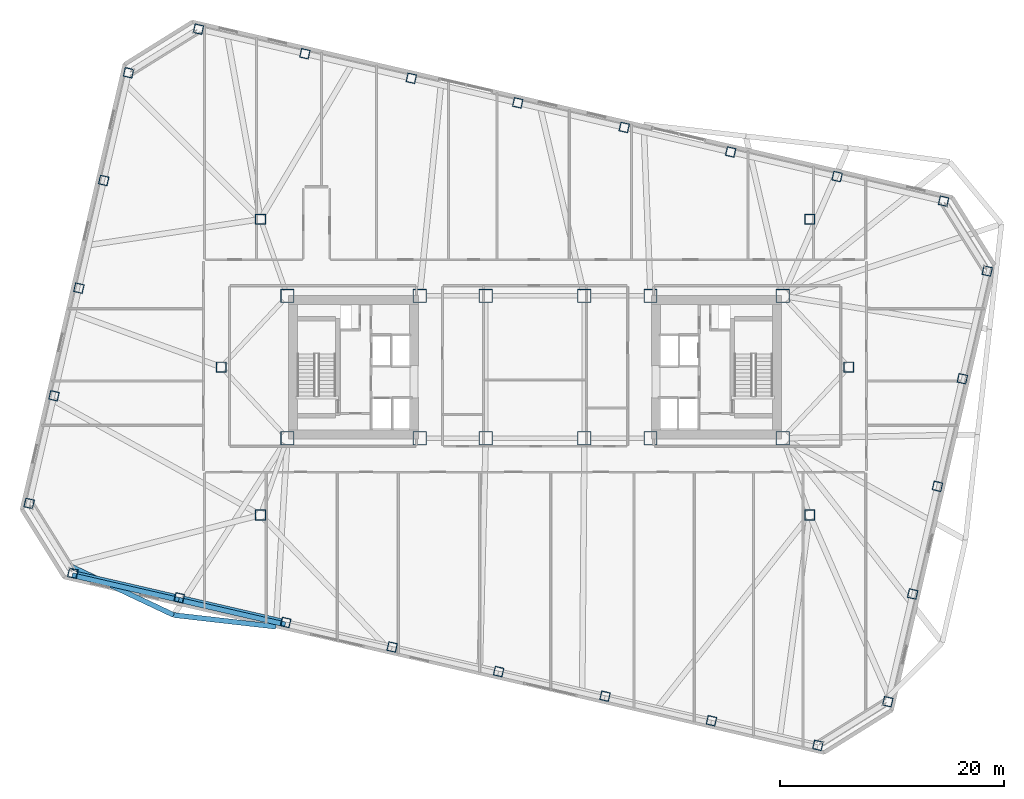
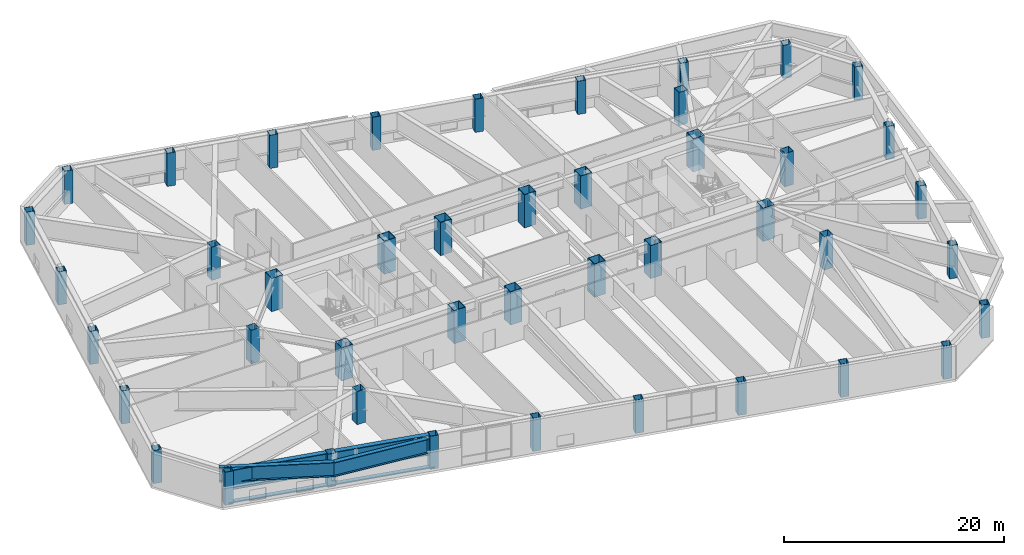
# One storey, part 1 of 19: 44 columns, 4 beams, 2 members.
"""IFC4 building model written with IfcOpenShell, lengths in metres."""

from ifc_helpers import new_model, si_unit, direction, frame, origin, origin_2d, place, context, subcontext, project, spatial, rectangle, hollow_rectangle, i_section, extrude, material, material_profile, profile_set, type_object, element, save


model = new_model("IFC4")

# Units and contexts
model_context = context("Model", 3, precision=1e-05, world=origin(), true_north=direction((0.0, 1.0)))
body_context = subcontext(model_context, "Body", "Model", "MODEL_VIEW")
ifc_project = project(units=[si_unit("LENGTHUNIT", "METRE"), si_unit("AREAUNIT", "SQUARE_METRE"), si_unit("VOLUMEUNIT", "CUBIC_METRE"), si_unit("PLANEANGLEUNIT", "RADIAN"), si_unit("MASSUNIT", "GRAM", prefix="KILO")], contexts=[model_context])

# Site, building, storey
site_placement = place(None, origin())
site = spatial("IfcSite", under=ifc_project, at=site_placement, CompositionType="ELEMENT")
building_placement = place(site_placement, origin())
building = spatial("IfcBuilding", under=site, at=building_placement, Name="Tavrogorsk Clinical Tower", CompositionType="ELEMENT")
storey_placement = place(building_placement, frame((0.0, 0.0, 79.39990234375)))
storey = spatial("IfcBuildingStorey", under=building, at=storey_placement, Name="L17", CompositionType="ELEMENT", Elevation=79.39990234375)

# Columns
ifc_material_1 = material(Name="Structural steel S440", Category="steel")
ifc_material_profile_1 = material_profile(ifc_material_1, hollow_rectangle(XDim=1.199951171875, YDim=1.199951171875, WallThickness=0.050048828125, at=origin_2d()), Name="BOX-1200x1200x50")
ifc_profile_set_1 = profile_set([ifc_material_profile_1], Name="Structural steel S440")
column_type_1 = type_object("IfcColumnType", Name="MegaCol_BOX1200", PredefinedType="COLUMN", material=ifc_profile_set_1)
for number, where, z_axis, x_axis, name in (
    (1, (-22.10009765625, -6.35009765625, 0.0), (0.0, 0.0, 1.0), (1.0, 0.0, 0.0), "L17 Mega Column MC-W1"),
    (2, (-22.10009765625, 6.35009765625, 0.0), (0.0, 0.0, 1.0), (1.0, 0.0, 0.0), "L17 Mega Column MC-W2"),
    (3, (-10.300048828125, -6.35009765625, 0.0), (0.0, 0.0, 1.0), (1.0, 0.0, 0.0), "L17 Mega Column MC-W3"),
    (4, (-10.300048828125, 6.35009765625, 0.0), (0.0, 0.0, 1.0), (1.0, 0.0, 0.0), "L17 Mega Column MC-W4"),
    (5, (10.300048828125, -6.35009765625, 0.0), (0.0, 0.0, 1.0), (1.0, 0.0, 0.0), "L17 Mega Column MC-E1"),
    (6, (10.300048828125, 6.35009765625, 0.0), (0.0, 0.0, 1.0), (1.0, 0.0, 0.0), "L17 Mega Column MC-E2"),
    (7, (22.10009765625, -6.35009765625, 0.0), (0.0, 0.0, 1.0), (1.0, 0.0, 0.0), "L17 Mega Column MC-E3"),
    (8, (22.10009765625, 6.35009765625, 0.0), (0.0, 0.0, 1.0), (1.0, 0.0, 0.0), "L17 Mega Column MC-E4"),
    (9, (-4.39990234375, -6.35009765625, 0.0), (0.0, 0.0, 1.0), (1.0, 0.0, 0.0), "L17 Mega Column MC-C1"),
    (10, (4.39990234375, -6.35009765625, 0.0), (0.0, 0.0, 1.0), (1.0, 0.0, 0.0), "L17 Mega Column MC-C2"),
    (11, (-4.39990234375, 6.35009765625, 0.0), (0.0, 0.0, 1.0), (1.0, 0.0, 0.0), "L17 Mega Column MC-C3"),
    (12, (4.39990234375, 6.35009765625, 0.0), (0.0, 0.0, 1.0), (1.0, 0.0, 0.0), "L17 Mega Column MC-C4"),
):
    element("IfcColumn", number, at=place(storey_placement, frame(where, z_axis=z_axis, x_axis=x_axis)), inside=storey, type_object=column_type_1, Name=name, PredefinedType="COLUMN", context=body_context, shape_type="SweptSolid", body=[
        extrude(hollow_rectangle(XDim=1.199951171875, YDim=1.199951171875, WallThickness=0.050048828125, at=origin_2d()), origin(), (0.0, 0.0, 1.0), 3.68017578125),
    ])
ifc_material_2 = material(Name="Structural steel S440", Category="steel")
ifc_material_profile_2 = material_profile(ifc_material_2, hollow_rectangle(XDim=0.89990234375, YDim=0.89990234375, WallThickness=0.0400390625, at=origin_2d()), Name="BOX-900x900x40")
ifc_profile_set_2 = profile_set([ifc_material_profile_2], Name="Structural steel S440")
column_type_2 = type_object("IfcColumnType", Name="MegaCol_BOX900", PredefinedType="COLUMN", material=ifc_profile_set_2)
for number, where, z_axis, x_axis, name in (
    (13, (-24.5, -13.199951171875, 0.0), (0.0, 0.0, 1.0), (1.0, 0.0, 0.0), "L17 Spine Pilotis Column MC-P1"),
    (14, (24.5, -13.199951171875, 0.0), (0.0, 0.0, 1.0), (1.0, 0.0, 0.0), "L17 Spine Pilotis Column MC-P2"),
    (15, (-24.5, 13.199951171875, 0.0), (0.0, 0.0, 1.0), (1.0, 0.0, 0.0), "L17 Spine Pilotis Column MC-P3"),
    (16, (24.5, 13.199951171875, 0.0), (0.0, 0.0, 1.0), (1.0, 0.0, 0.0), "L17 Spine Pilotis Column MC-P4"),
    (17, (-28.0, 0.0, 0.0), (0.0, 0.0, 1.0), (1.0, 0.0, 0.0), "L17 Spine Pilotis Column MC-P5"),
    (18, (28.0, 0.0, 0.0), (0.0, 0.0, 1.0), (1.0, 0.0, 0.0), "L17 Spine Pilotis Column MC-P6"),
):
    element("IfcColumn", number, at=place(storey_placement, frame(where, z_axis=z_axis, x_axis=x_axis)), inside=storey, type_object=column_type_2, Name=name, PredefinedType="COLUMN", context=body_context, shape_type="SweptSolid", body=[
        extrude(hollow_rectangle(XDim=0.89990234375, YDim=0.89990234375, WallThickness=0.0400390625, at=origin_2d()), origin(), (0.0, 0.0, 1.0), 3.68017578125),
    ])
ifc_material_3 = material(Name="Structural steel S440", Category="steel")
ifc_material_profile_3 = material_profile(ifc_material_3, hollow_rectangle(XDim=0.800048828125, YDim=0.800048828125, WallThickness=0.035888671875, at=origin_2d()), Name="BOX-800x800x36")
ifc_profile_set_3 = profile_set([ifc_material_profile_3], Name="Structural steel S440")
column_type_3 = type_object("IfcColumnType", Name="PerimCol_B1_BOX800", PredefinedType="COLUMN", material=ifc_profile_set_3)
for number, where, z_axis, x_axis, name in (
    (19, (-41.251220703125, -18.406005859375, 0.0), (0.0, 0.0, 1.0), (0.974370064785, -0.224951054344, 0.0), "L17 Perimeter Column S1"),
    (20, (-31.75244140625, -20.598876953125, 0.0), (0.0, 0.0, 1.0), (0.974370064785, -0.224951054344, 0.0), "L17 Perimeter Column S2"),
    (21, (-22.25390625, -22.7919921875, 0.0), (0.0, 0.0, 1.0), (0.974370064785, -0.224951054344, 0.0), "L17 Perimeter Column S3"),
    (22, (-12.755126953125, -24.98486328125, 0.0), (0.0, 0.0, 1.0), (0.974370064785, -0.224951054344, 0.0), "L17 Perimeter Column S4"),
    (23, (-3.25634765625, -27.177734375, 0.0), (0.0, 0.0, 1.0), (0.974370064785, -0.224951054344, 0.0), "L17 Perimeter Column S5"),
    (24, (6.2421875, -29.37060546875, 0.0), (0.0, 0.0, 1.0), (0.974370064785, -0.224951054344, 0.0), "L17 Perimeter Column S6"),
    (25, (15.740966796875, -31.563720703125, 0.0), (0.0, 0.0, 1.0), (0.974370064785, -0.224951054344, 0.0), "L17 Perimeter Column S7"),
    (26, (25.23974609375, -33.756591796875, 0.0), (0.0, 0.0, 1.0), (0.974370064785, -0.224951054344, 0.0), "L17 Perimeter Column S8"),
    (27, (36.451416015625, 14.805908203125, 0.0), (0.0, 0.0, 1.0), (0.974370064785, -0.224951054344, 0.0), "L17 Perimeter Column N1"),
    (28, (26.952392578125, 16.998779296875, 0.0), (0.0, 0.0, 1.0), (0.974370064785, -0.224951054344, 0.0), "L17 Perimeter Column N2"),
    (29, (17.453857421875, 19.19189453125, 0.0), (0.0, 0.0, 1.0), (0.974370064785, -0.224951054344, 0.0), "L17 Perimeter Column N3"),
    (30, (7.955078125, 21.384765625, 0.0), (0.0, 0.0, 1.0), (0.974370064785, -0.224951054344, 0.0), "L17 Perimeter Column N4"),
    (31, (-1.543701171875, 23.577880859375, 0.0), (0.0, 0.0, 1.0), (0.974370064785, -0.224951054344, 0.0), "L17 Perimeter Column N5"),
    (32, (-11.042236328125, 25.770751953125, 0.0), (0.0, 0.0, 1.0), (0.974370064785, -0.224951054344, 0.0), "L17 Perimeter Column N6"),
    (33, (-20.541015625, 27.963623046875, 0.0), (0.0, 0.0, 1.0), (0.974370064785, -0.224951054344, 0.0), "L17 Perimeter Column N7"),
    (34, (-30.039794921875, 30.156494140625, 0.0), (0.0, 0.0, 1.0), (0.974370064785, -0.224951054344, 0.0), "L17 Perimeter Column N8"),
    (35, (31.476318359375, -29.859619140625, 0.0), (0.0, 0.0, 1.0), (0.974370064785, -0.224951054344, 0.0), "L17 Perimeter Column E1"),
    (36, (33.694091796875, -20.25244140625, 0.0), (0.0, 0.0, 1.0), (0.974370064785, -0.224951054344, 0.0), "L17 Perimeter Column E2"),
    (37, (35.912109375, -10.64501953125, 0.0), (0.0, 0.0, 1.0), (0.974370064785, -0.224951054344, 0.0), "L17 Perimeter Column E3"),
    (38, (38.130126953125, -1.037841796875, 0.0), (0.0, 0.0, 1.0), (0.974370064785, -0.224951054344, 0.0), "L17 Perimeter Column E4"),
    (39, (40.348388671875, 8.569580078125, 0.0), (0.0, 0.0, 1.0), (0.974370064785, -0.224951054344, 0.0), "L17 Perimeter Column E5"),
    (40, (-36.276123046875, 26.259765625, 0.0), (0.0, 0.0, 1.0), (0.974370064785, -0.224951054344, 0.0), "L17 Perimeter Column W1"),
    (41, (-38.494140625, 16.65234375, 0.0), (0.0, 0.0, 1.0), (0.974370064785, -0.224951054344, 0.0), "L17 Perimeter Column W2"),
    (42, (-40.712158203125, 7.045166015625, 0.0), (0.0, 0.0, 1.0), (0.974370064785, -0.224951054344, 0.0), "L17 Perimeter Column W3"),
    (43, (-42.93017578125, -2.562255859375, 0.0), (0.0, 0.0, 1.0), (0.974370064785, -0.224951054344, 0.0), "L17 Perimeter Column W4"),
    (44, (-45.148193359375, -12.16943359375, 0.0), (0.0, 0.0, 1.0), (0.974370064785, -0.224951054344, 0.0), "L17 Perimeter Column W5"),
):
    element("IfcColumn", number, at=place(storey_placement, frame(where, z_axis=z_axis, x_axis=x_axis)), inside=storey, type_object=column_type_3, Name=name, PredefinedType="COLUMN", context=body_context, shape_type="SweptSolid", body=[
        extrude(hollow_rectangle(XDim=0.800048828125, YDim=0.800048828125, WallThickness=0.035888671875, at=origin_2d()), origin(), (0.0, 0.0, 1.0), 3.68017578125),
    ])

# Members
ifc_material_4 = material(Name="Anodised aluminium alloy AW-6063", Category="aluminium")
ifc_material_profile_4 = material_profile(ifc_material_4, rectangle(XDim=0.449951171875, YDim=0.1201171875, at=origin_2d()), Name="ALU-SUNSHADE-450x120")
ifc_profile_set_4 = profile_set([ifc_material_profile_4], Name="Anodised aluminium alloy AW-6063")
member_type = type_object("IfcMemberType", Name="ChicagoSunshade_450x120", PredefinedType="USERDEFINED", material=ifc_profile_set_4)
member_1_placement = place(storey_placement, frame((-41.291748046875, -18.581298828125, 0.18017578125), z_axis=(0.974366709214, -0.224965588425, 0.0), x_axis=(0.224965588425, 0.974366709214, 0.0)))
element("IfcMember", 45, at=member_1_placement, inside=storey, type_object=member_type, Name="L17 South Aluminium Sunshade S1", ObjectType="SUNSHADE", PredefinedType="USERDEFINED", context=body_context, shape_type="SweptSolid", body=[
    extrude(rectangle(XDim=0.449951171875, YDim=0.1201171875, at=origin_2d()), origin(), (0.0, 0.0, 1.0), 9.748779296875),
])
member_2_placement = place(storey_placement, frame((-31.79296875, -20.7744140625, 0.18017578125), z_axis=(0.974370931236, -0.2249473013, 0.0), x_axis=(0.2249473013, 0.974370931236, 0.0)))
element("IfcMember", 46, at=member_2_placement, inside=storey, type_object=member_type, Name="L17 South Aluminium Sunshade S2", ObjectType="SUNSHADE", PredefinedType="USERDEFINED", context=body_context, shape_type="SweptSolid", body=[
    extrude(rectangle(XDim=0.449951171875, YDim=0.1201171875, at=origin_2d()), origin(), (0.0, 0.0, 1.0), 9.748291015625),
])

# Beams
ifc_material_5 = material(Name="Structural steel S440", Category="steel")
ifc_material_profile_5 = material_profile(ifc_material_5, i_section(OverallWidth=0.449951171875, OverallDepth=1.60009765625, WebThickness=0.031982421875, FlangeThickness=0.050048828125, at=origin_2d()), Name="DK-1600x450x32x50")
ifc_profile_set_5 = profile_set([ifc_material_profile_5], Name="Structural steel S440")
beam_type_1 = type_object("IfcBeamType", Name="TransferGirder_DK1600", PredefinedType="USERDEFINED", material=ifc_profile_set_5)
beam_1_placement = place(storey_placement, frame((-32.243896484375, -22.12890625, 2.880126953125), z_axis=(0.993572313975, -0.113199191259, 0.0), x_axis=(0.113199191259, 0.993572313975, 0.0)))
element("IfcBeam", 47, at=beam_1_placement, inside=storey, type_object=beam_type_1, Name="L18 Transfer Edge Girder S1-S2", ObjectType="GIRDER", PredefinedType="USERDEFINED", context=body_context, shape_type="SweptSolid", body=[
    extrude(i_section(OverallWidth=0.449951171875, OverallDepth=1.60009765625, WebThickness=0.031982421875, FlangeThickness=0.050048828125, at=origin_2d()), origin(), (0.0, 0.0, 1.0), 9.177001953125),
])
beam_2_placement = place(storey_placement, frame((-41.731201171875, -17.637939453125, 2.880126953125), z_axis=(0.903849104782, -0.427851371139, 0.0), x_axis=(0.427851371139, 0.903849104782, 0.0)))
element("IfcBeam", 48, at=beam_2_placement, inside=storey, type_object=beam_type_1, Name="L18 Transfer Edge Girder W5-S1", ObjectType="GIRDER", PredefinedType="USERDEFINED", context=body_context, shape_type="SweptSolid", body=[
    extrude(i_section(OverallWidth=0.449951171875, OverallDepth=1.60009765625, WebThickness=0.031982421875, FlangeThickness=0.050048828125, at=origin_2d()), origin(), (0.0, 0.0, 1.0), 10.49658203125),
])
ifc_material_6 = material(Name="Structural steel S440", Category="steel")
ifc_material_profile_6 = material_profile(ifc_material_6, i_section(OverallWidth=0.5, OverallDepth=2.199951171875, WebThickness=0.035888671875, FlangeThickness=0.054931640625, at=origin_2d()), Name="DK-2200x500x36x55")
ifc_profile_set_6 = profile_set([ifc_material_profile_6], Name="Structural steel S440")
beam_type_2 = type_object("IfcBeamType", Name="TransferGirder_DK2200", PredefinedType="USERDEFINED", material=ifc_profile_set_6)
for number, where, z_axis, x_axis, name in (
    (49, (-40.853759765625, -18.497802734375, 2.580078125), (0.974372766602, -0.224939351168, 0.0), (0.224939351168, 0.974372766602, 0.0), "L17 Perimeter Spandrel S1-S2"),
    (50, (-31.35498046875, -20.690673828125, 2.580078125), (0.974366775889, -0.224965299645, 0.0), (0.224965299645, 0.974366775889, 0.0), "L17 Perimeter Spandrel S2-S3"),
):
    element("IfcBeam", number, at=place(storey_placement, frame(where, z_axis=z_axis, x_axis=x_axis)), inside=storey, type_object=beam_type_2, Name=name, ObjectType="GIRDER", PredefinedType="USERDEFINED", context=body_context, shape_type="SweptSolid", body=[
        extrude(i_section(OverallWidth=0.5, OverallDepth=2.199951171875, WebThickness=0.035888671875, FlangeThickness=0.054931640625, at=origin_2d()), origin(), (0.0, 0.0, 1.0), 8.9326171875),
    ])

save(model, "model.ifc")
